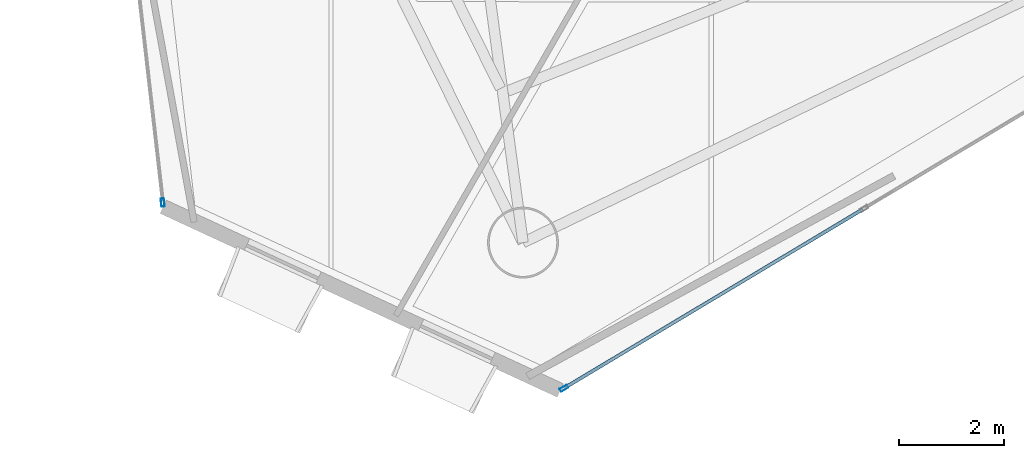
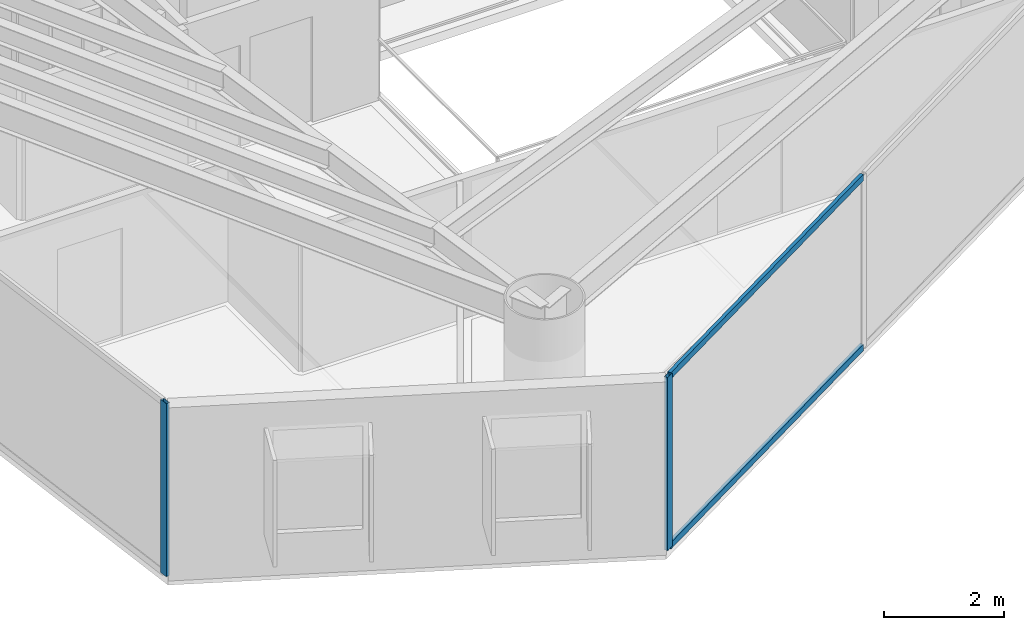
# One storey, part 2 of 22: 4 members, 2 elements without a shape of their own.
"""IFC4 building model written with IfcOpenShell, lengths in metres."""

from ifc_helpers import new_model, si_unit, direction, frame, origin, origin_2d, place, context, subcontext, project, spatial, hollow_rectangle, extrude, material, layer, layer_set, material_profile, profile_set, type_object, element, aggregate, save


model = new_model("IFC4")

# Units and contexts
model_context = context("Model", 3, precision=1e-05, world=origin(), true_north=direction((0.0, 1.0)))
body_context = subcontext(model_context, "Body", "Model", "MODEL_VIEW")
ifc_project = project(units=[si_unit("LENGTHUNIT", "METRE"), si_unit("AREAUNIT", "SQUARE_METRE"), si_unit("VOLUMEUNIT", "CUBIC_METRE"), si_unit("PLANEANGLEUNIT", "RADIAN"), si_unit("MASSUNIT", "GRAM", prefix="KILO")], contexts=[model_context])

# Site, building, storey
site_placement = place(None, origin())
site = spatial("IfcSite", under=ifc_project, at=site_placement, CompositionType="ELEMENT")
building_placement = place(site_placement, origin())
building = spatial("IfcBuilding", under=site, at=building_placement, Name="Qianvela Tower", CompositionType="ELEMENT")
storey_placement = place(building_placement, frame((0.0, 0.0, 173.5)))
storey = spatial("IfcBuildingStorey", under=building, at=storey_placement, Name="L44", CompositionType="ELEMENT", Elevation=173.5)

# Curtain wall, member
ifc_material_1 = material(Name="Anodised Architectural Aluminium and Low-E Glass", Category="aluminium")
ifc_layer = layer(ifc_material_1, 0.169921875)
ifc_layer_set = layer_set([ifc_layer], Name="Anodised Architectural Aluminium and Low-E Glass")
curtain_wall_type = type_object("IfcCurtainWallType", Name="CW-COLIV-Z34", PredefinedType="USERDEFINED", material=ifc_layer_set)
curtain_wall_1_placement = place(storey_placement, origin())
curtain_wall_1 = element("IfcCurtainWall", 1, at=curtain_wall_1_placement, inside=storey, type_object=curtain_wall_type, Name="L44 CW-COLIV-Z34 Curtain Wall 04C", ObjectType="CURTAIN_WALL_SYSTEM", PredefinedType="USERDEFINED")
ifc_material_2 = material(Name="Anodised Architectural Aluminium 6063-T6", Category="aluminium")
ifc_material_profile_1 = material_profile(ifc_material_2, hollow_rectangle(XDim=0.06494140625, YDim=0.159912109375, WallThickness=0.0048828125, at=origin_2d()), Name="ALU-MULL-65x160")
ifc_profile_set_1 = profile_set([ifc_material_profile_1], Name="Anodised Architectural Aluminium 6063-T6")
member_type_1 = type_object("IfcMemberType", Name="CW-COLIV-Z34-MULL", PredefinedType="MULLION", material=ifc_profile_set_1)
member_1_placement = place(storey_placement, frame((23.4892578125, 11.672119140625, 0.0), z_axis=(0.0, 0.0, 1.0), x_axis=(0.993452845581, 0.114242914909, 0.0)))
member_1 = element("IfcMember", 2, at=member_1_placement, type_object=member_type_1, Name="CW-4 mullion 2", PredefinedType="MULLION", context=body_context, shape_type="SweptSolid", body=[
    extrude(hollow_rectangle(XDim=0.06494140625, YDim=0.159912109375, WallThickness=0.0048828125, at=origin_2d()), origin(), (0.0, 0.0, 1.0), 3.52001953125),
])
aggregate(curtain_wall_1, [member_1])

# Curtain wall, members
curtain_wall_2_placement = place(storey_placement, origin())
curtain_wall_2 = element("IfcCurtainWall", 3, at=curtain_wall_2_placement, inside=storey, type_object=curtain_wall_type, Name="L44 CW-COLIV-Z34 Curtain Wall 06A", ObjectType="CURTAIN_WALL_SYSTEM", PredefinedType="USERDEFINED")
member_2_placement = place(storey_placement, frame((31.12646484375, 8.136474609375, 0.0), z_axis=(0.0, 0.0, 1.0), x_axis=(-0.513738276787, 0.85794695813, 0.0)))
member_2 = element("IfcMember", 4, at=member_2_placement, type_object=member_type_1, Name="CW-4 mullion 1", PredefinedType="MULLION", context=body_context, shape_type="SweptSolid", body=[
    extrude(hollow_rectangle(XDim=0.06494140625, YDim=0.159912109375, WallThickness=0.0048828125, at=origin_2d()), origin(), (0.0, 0.0, 1.0), 3.52001953125),
])
ifc_material_3 = material(Name="Anodised Architectural Aluminium 6063-T6", Category="aluminium")
ifc_material_profile_2 = material_profile(ifc_material_3, hollow_rectangle(XDim=0.06494140625, YDim=0.1298828125, WallThickness=0.00439453125, at=origin_2d()), Name="ALU-TRAN-65x130")
ifc_profile_set_2 = profile_set([ifc_material_profile_2], Name="Anodised Architectural Aluminium 6063-T6")
member_type_2 = type_object("IfcMemberType", Name="CW-COLIV-Z34-TRAN", PredefinedType="USERDEFINED", material=ifc_profile_set_2)
member_3_placement = place(storey_placement, frame((31.154296875, 8.153076171875, 0.032470703125), z_axis=(0.857936998471, 0.513754909129, 0.0), x_axis=(-0.513754909129, 0.857936998471, 0.0)))
member_3 = element("IfcMember", 5, at=member_3_placement, type_object=member_type_2, Name="CW-4 transom 1.1", ObjectType="TRANSOM", PredefinedType="USERDEFINED", context=body_context, shape_type="SweptSolid", body=[
    extrude(hollow_rectangle(XDim=0.06494140625, YDim=0.1298828125, WallThickness=0.00439453125, at=origin_2d()), origin(), (0.0, 0.0, 1.0), 6.592529296875),
])
member_4_placement = place(storey_placement, frame((31.154296875, 8.153076171875, 3.487548828125), z_axis=(0.857936998471, 0.513754909129, 0.0), x_axis=(-0.513754909129, 0.857936998471, 0.0)))
member_4 = element("IfcMember", 6, at=member_4_placement, type_object=member_type_2, Name="CW-4 transom 1.2", ObjectType="TRANSOM", PredefinedType="USERDEFINED", context=body_context, shape_type="SweptSolid", body=[
    extrude(hollow_rectangle(XDim=0.06494140625, YDim=0.1298828125, WallThickness=0.00439453125, at=origin_2d()), origin(), (0.0, 0.0, 1.0), 6.592529296875),
])
aggregate(curtain_wall_2, [member_2, member_3, member_4])

save(model, "model.ifc")
